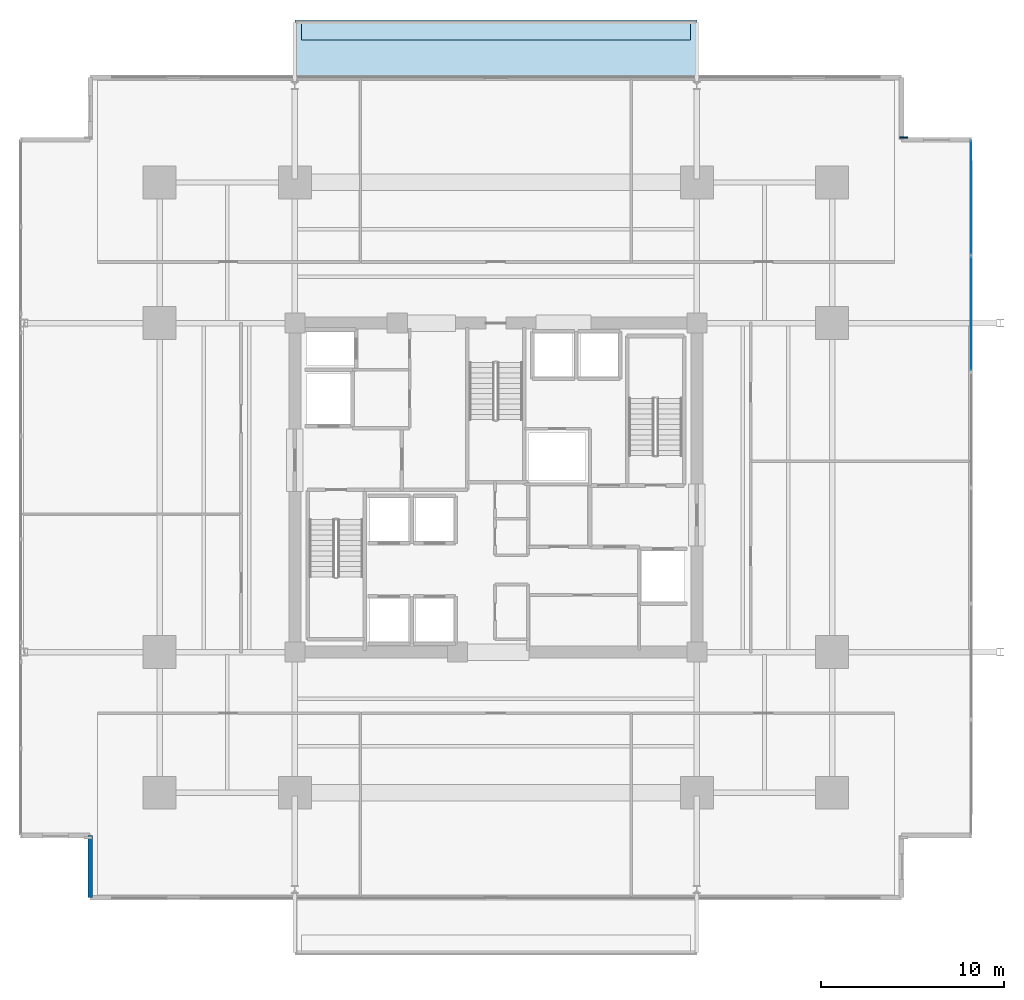
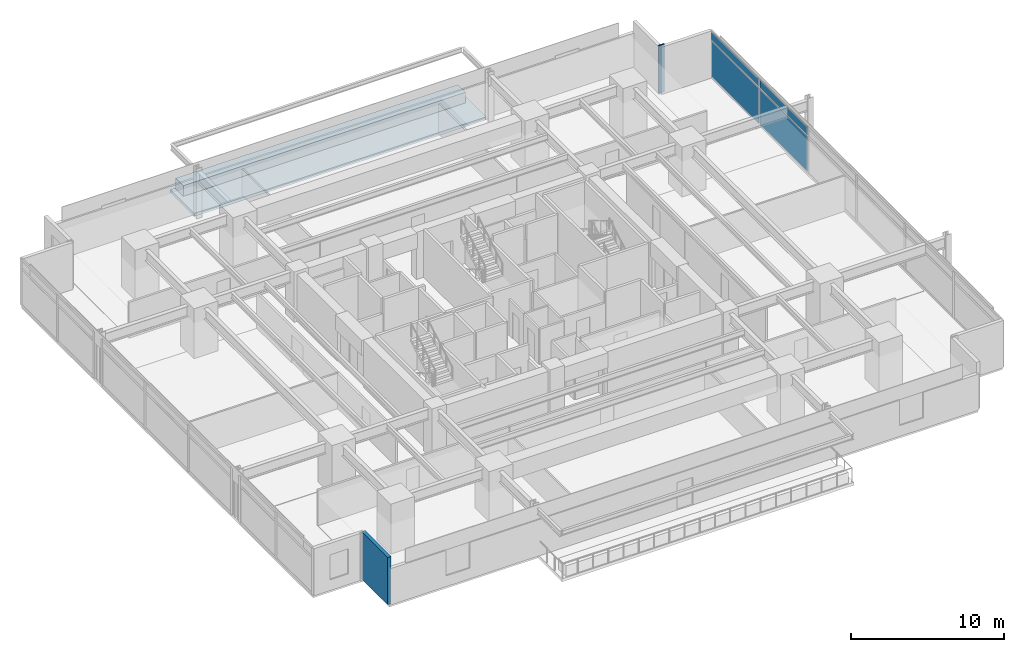
# One storey, part 16 of 25: 5 plates, 2 slabs, 1 wall, 1 element without a shape of its own.
"""IFC4 building model written with IfcOpenShell, lengths in metres."""

from ifc_helpers import new_model, si_unit, direction, frame, frame_2d, origin, origin_2d, place, context, subcontext, project, spatial, polyline, rectangle, outline, extrude, material, layer, layer_set, type_object, element, aggregate, save


model = new_model("IFC4")

# Units and contexts
model_context = context("Model", 3, precision=1e-05, world=origin(), true_north=direction((0.0, 1.0)))
body_context = subcontext(model_context, "Body", "Model", "MODEL_VIEW")
ifc_project = project(units=[si_unit("LENGTHUNIT", "METRE"), si_unit("AREAUNIT", "SQUARE_METRE"), si_unit("VOLUMEUNIT", "CUBIC_METRE"), si_unit("PLANEANGLEUNIT", "RADIAN"), si_unit("MASSUNIT", "GRAM", prefix="KILO")], contexts=[model_context])

# Site, building, storey
site_placement = place(None, origin())
site = spatial("IfcSite", under=ifc_project, at=site_placement, CompositionType="ELEMENT")
building_placement = place(site_placement, origin())
building = spatial("IfcBuilding", under=site, at=building_placement, Name="Kovane Verandah Tower", CompositionType="ELEMENT")
storey_placement = place(building_placement, frame((0.0, 0.0, 67.60009765625)))
storey = spatial("IfcBuildingStorey", under=building, at=storey_placement, Name="L15", CompositionType="ELEMENT", Elevation=67.60009765625)

# Curtain wall, plates
ifc_material_1 = material(Name="Champagne Anodised Aluminium Frame with Low-E Clear Laminated Glass", Category="aluminium")
curtain_wall_type = type_object("IfcCurtainWallType", Name="CW-SYS-02-LOW", PredefinedType="NOTDEFINED", material=ifc_material_1)
curtain_wall_placement = place(storey_placement, origin())
curtain_wall = element("IfcCurtainWall", 1, at=curtain_wall_placement, inside=storey, type_object=curtain_wall_type, Name="L15 E Unitised Curtain Wall", PredefinedType="NOTDEFINED")
ifc_material_2 = material(Name="Pale Champagne Anodised Aluminium Insulated Spandrel", Category="aluminium")
ifc_layer_1 = layer(ifc_material_2, 0.0400390625)
ifc_layer_set_1 = layer_set([ifc_layer_1], Name="Pale Champagne Anodised Aluminium Insulated Spandrel")
plate_type_1 = type_object("IfcPlateType", Name="PL-CW-SPD-40", PredefinedType="SHEET", material=ifc_layer_set_1)
plate_1_placement = place(storey_placement, frame((66.001220703125, 37.0205078125, 3.02978515625), z_axis=(0.0, 0.0, 1.0), x_axis=(0.0, 1.0, 0.0)))
plate_1 = element("IfcPlate", 2, at=plate_1_placement, type_object=plate_type_1, Name="L15 E Unitised Curtain Wall Spandrel Panel 5", PredefinedType="SHEET", context=body_context, shape_type="SweptSolid", body=[
    extrude(rectangle(XDim=6.206787109375, YDim=0.0400390625, at=origin_2d()), origin(), (0.0, 0.0, 1.0), 0.639892578125),
])
plate_2_placement = place(storey_placement, frame((66.001220703125, 43.3671875, 3.02978515625), z_axis=(0.0, 0.0, 1.0), x_axis=(0.0, 1.0, 0.0)))
plate_2 = element("IfcPlate", 3, at=plate_2_placement, type_object=plate_type_1, Name="L15 E Unitised Curtain Wall Spandrel Panel 6", PredefinedType="SHEET", context=body_context, shape_type="SweptSolid", body=[
    extrude(rectangle(XDim=6.206787109375, YDim=0.0400390625, at=origin_2d()), origin(), (0.0, 0.0, 1.0), 0.639892578125),
])
ifc_material_3 = material(Name="Clear Low-E Laminated Double Glazing", Category="glass")
ifc_layer_2 = layer(ifc_material_3, 0.031982421875)
ifc_layer_set_2 = layer_set([ifc_layer_2], Name="Clear Low-E Laminated Double Glazing")
plate_type_2 = type_object("IfcPlateType", Name="PL-CW-VIS-32", PredefinedType="CURTAIN_PANEL", material=ifc_layer_set_2)
plate_3_placement = place(storey_placement, frame((66.001220703125, 37.0205078125, 0.099853515625), z_axis=(0.0, 0.0, 1.0), x_axis=(0.0, 1.0, 0.0)))
plate_3 = element("IfcPlate", 4, at=plate_3_placement, type_object=plate_type_2, Name="L15 E Unitised Curtain Wall Vision Panel 5", PredefinedType="CURTAIN_PANEL", context=body_context, shape_type="SweptSolid", body=[
    extrude(rectangle(XDim=6.206787109375, YDim=0.031982421875, at=origin_2d()), origin(), (0.0, 0.0, 1.0), 2.830078125),
])
plate_4_placement = place(storey_placement, frame((66.001220703125, 43.3671875, 0.099853515625), z_axis=(0.0, 0.0, 1.0), x_axis=(0.0, 1.0, 0.0)))
plate_4 = element("IfcPlate", 5, at=plate_4_placement, type_object=plate_type_2, Name="L15 E Unitised Curtain Wall Vision Panel 6", PredefinedType="CURTAIN_PANEL", context=body_context, shape_type="SweptSolid", body=[
    extrude(rectangle(XDim=6.206787109375, YDim=0.031982421875, at=origin_2d()), origin(), (0.0, 0.0, 1.0), 2.830078125),
])
aggregate(curtain_wall, [plate_3, plate_1, plate_4, plate_2])

# Plate
ifc_material_4 = material(Name="Timber-Toned Subtropical Aluminium Vertical Blade", Category="wood")
ifc_layer_3 = layer(ifc_material_4, 0.090087890625)
ifc_layer_set_3 = layer_set([ifc_layer_3], Name="Timber-Toned Subtropical Aluminium Vertical Blade")
plate_type_3 = type_object("IfcPlateType", Name="PL-FIN-90", PredefinedType="USERDEFINED", material=ifc_layer_set_3)
plate_5_placement = place(storey_placement, frame((62.321044921875, 46.660888671875, -0.02001953125), z_axis=(0.0, 0.0, 1.0), x_axis=(1.0, 0.0, 0.0)))
element("IfcPlate", 6, at=plate_5_placement, inside=storey, type_object=plate_type_3, Name="L15 NE Timber-Toned Vertical Corner Fin", ObjectType="FIN", PredefinedType="USERDEFINED", context=body_context, shape_type="SweptSolid", body=[
    extrude(rectangle(XDim=0.419921875, YDim=0.090087890625, at=origin_2d()), origin(), (0.0, 0.0, 1.0), 3.820068359375),
])

# Slabs
ifc_material_5 = material(Name="Concrete C45/55", Category="concrete")
ifc_layer_4 = layer(ifc_material_5, 0.239990234375)
ifc_layer_set_4 = layer_set([ifc_layer_4], Name="Concrete C45/55")
slab_type_1 = type_object("IfcSlabType", Name="SL-BALC-240", PredefinedType="FLOOR", material=ifc_layer_set_4)
slab_1_placement = place(storey_placement, frame((0.0, 0.0, -0.239990234375)))
element("IfcSlab", 7, at=slab_1_placement, inside=storey, type_object=slab_type_1, Name="L15 N Planted Verandah Balcony Slab", PredefinedType="FLOOR", context=body_context, shape_type="SweptSolid", body=[
    extrude(outline(polyline([(29.0, 49.94091796875), (51.0, 49.94091796875), (51.0, 53.0908203125), (29.0, 53.0908203125), (29.0, 49.94091796875)])), origin(), (0.0, 0.0, 1.0), 0.239990234375),
])
ifc_material_6 = material(Name="Architectural Precast Concrete C45/55 Planter Trough", Category="concrete")
ifc_layer_5 = layer(ifc_material_6, 0.219970703125)
ifc_layer_set_5 = layer_set([ifc_layer_5], Name="Architectural Precast Concrete C45/55 Planter Trough")
slab_type_2 = type_object("IfcSlabType", Name="SL-PLANTER-220", PredefinedType="USERDEFINED", material=ifc_layer_set_5)
slab_2_placement = place(storey_placement, origin())
element("IfcSlab", 8, at=slab_2_placement, inside=storey, type_object=slab_type_2, Name="L15 N Structural Tree Planter", ObjectType="PLANTER", PredefinedType="USERDEFINED", context=body_context, shape_type="SweptSolid", body=[
    extrude(outline(polyline([(29.35009765625, 51.99072265625), (50.64990234375, 51.99072265625), (50.64990234375, 52.99072265625), (29.35009765625, 52.99072265625), (29.35009765625, 51.99072265625)])), origin(), (0.0, 0.0, 1.0), 0.849853515625),
])

# Wall
ifc_material_7 = material(Name="Concrete C45/55 Insulated Spandrel Wall", Category="concrete")
ifc_layer_6 = layer(ifc_material_7, 0.260009765625)
ifc_layer_set_6 = layer_set([ifc_layer_6], Name="Concrete C45/55 Insulated Spandrel Wall")
wall_type = type_object("IfcWallType", Name="WL-SPANDREL-260", PredefinedType="PARAPET", material=ifc_layer_set_6)
wall_placement = place(storey_placement, frame((17.798828125, 8.459228515625, 0.0), z_axis=(0.0, 0.0, 1.0), x_axis=(0.0, -1.0, 0.0)))
element("IfcWall", 9, at=wall_placement, inside=storey, type_object=wall_type, Name="L15 SW Notch Cheek Wall 2", PredefinedType="PARAPET", context=body_context, shape_type="SweptSolid", body=[
    extrude(rectangle(XDim=3.400146484375, YDim=0.260009765625, at=frame_2d((1.7001953125, 0.0))), origin(), (0.0, 0.0, 1.0), 3.760009765625),
])

save(model, "model.ifc")
